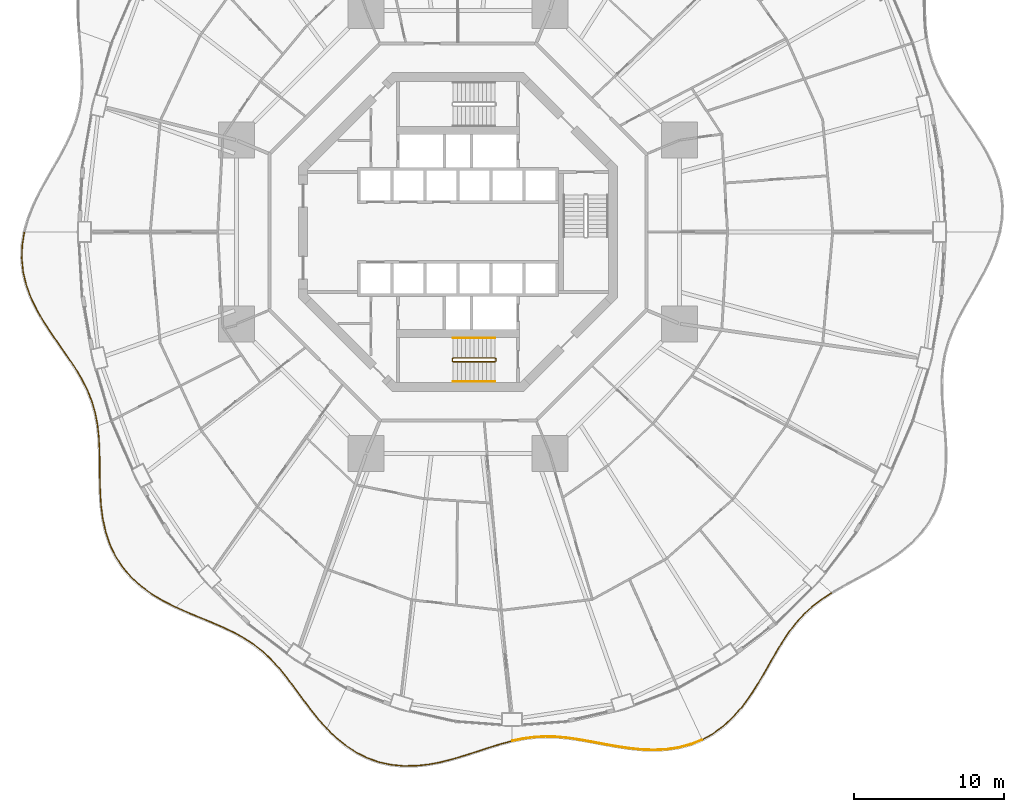
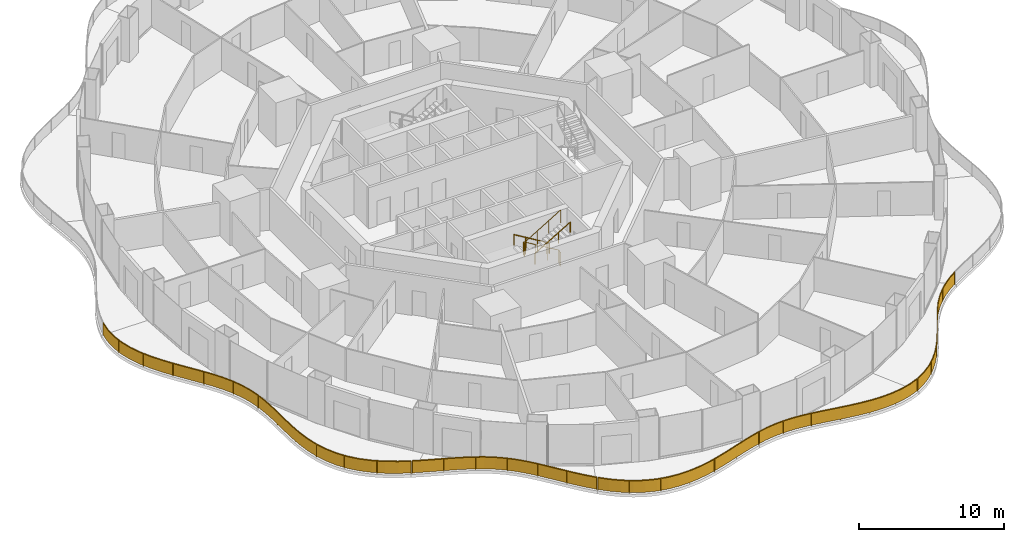
# One storey, part 20 of 22: 9 railings.
"""IFC4 building model written with IfcOpenShell, lengths in metres."""

from ifc_helpers import new_model, si_unit, direction, frame, origin, origin_2d, place, context, subcontext, project, spatial, polyline, rectangle, circle, outline, extrude, material, type_object, element, save


model = new_model("IFC4")

# Units and contexts
model_context = context("Model", 3, precision=1e-05, world=origin(), true_north=direction((0.0, 1.0)))
body_context = subcontext(model_context, "Body", "Model", "MODEL_VIEW")
ifc_project = project(units=[si_unit("LENGTHUNIT", "METRE"), si_unit("AREAUNIT", "SQUARE_METRE"), si_unit("VOLUMEUNIT", "CUBIC_METRE"), si_unit("PLANEANGLEUNIT", "RADIAN"), si_unit("MASSUNIT", "GRAM", prefix="KILO")], contexts=[model_context])

# Site, building, storey
site_placement = place(None, origin())
site = spatial("IfcSite", under=ifc_project, at=site_placement, CompositionType="ELEMENT")
building_placement = place(site_placement, origin())
building = spatial("IfcBuilding", under=site, at=building_placement, Name="Nagisa Residences", CompositionType="ELEMENT")
storey_placement = place(building_placement, frame((0.0, 0.0, 30.699951171875)))
storey = spatial("IfcBuildingStorey", under=building, at=storey_placement, Name="L06", CompositionType="ELEMENT", Elevation=30.699951171875)

# Railings
ifc_material_1 = material(Name="Stainless steel 316", Category="steel")
railing_type_1 = type_object("IfcRailingType", Name="BALCONY GUARD 1100", PredefinedType="BALUSTRADE", material=ifc_material_1)
railing_1_placement = place(storey_placement, frame((-28.92236328125, -0.0380859375, 0.0)))
element("IfcRailing", 1, at=railing_1_placement, inside=storey, type_object=railing_type_1, Name="guard:L06:bal08-0", PredefinedType="BALUSTRADE", context=body_context, shape_type="SweptSolid", body=[
    extrude(outline(polyline([(-0.1142578125, -0.843994140625), (0.024658203125, -0.004150390625), (-0.024658203125, 0.004150390625), (-0.1640625, -0.839111328125), (-0.194580078125, -1.73095703125), (-0.104736328125, -2.618408203125), (0.101318359375, -3.494140625), (0.4140625, -4.3525390625), (0.815185546875, -5.175537109375), (1.287353515625, -5.988525390625), (1.80419921875, -6.778076171875), (2.33984375, -7.54736328125), (2.86865234375, -8.30078125), (3.36279296875, -9.031494140625), (3.80859375, -9.775146484375), (4.187744140625, -10.5263671875), (4.49169921875, -11.2939453125), (4.71728515625, -12.085205078125), (4.86083984375, -12.865478515625), (4.91015625, -12.856201171875), (4.76611328125, -12.073974609375), (4.5390625, -11.27783203125), (4.233642578125, -10.505859375), (3.8525390625, -9.750732421875), (3.40478515625, -9.004638671875), (2.90966796875, -8.2724609375), (2.380859375, -7.5185546875), (1.845703125, -6.750244140625), (1.329833984375, -5.962158203125), (0.859619140625, -5.152099609375), (0.4599609375, -4.3330078125), (0.149169921875, -3.47998046875), (-0.055419921875, -2.610107421875), (-0.144287109375, -1.7294921875), (-0.1142578125, -0.843994140625)])), frame((0.0, 0.0, 1.050048828125)), (0.0, 0.0, 1.0), 0.050048828125),
    extrude(outline(polyline([(-0.132080078125, -0.84228515625), (0.0068359375, -0.001220703125), (-0.0068359375, 0.001220703125), (-0.146240234375, -0.8408203125), (-0.176513671875, -1.73046875), (-0.0869140625, -2.615478515625), (0.118408203125, -3.489013671875), (0.4306640625, -4.345458984375), (0.831298828125, -5.1669921875), (1.302734375, -5.97900390625), (1.819091796875, -6.76806640625), (2.354736328125, -7.536865234375), (2.88330078125, -8.29052734375), (3.3779296875, -9.021728515625), (3.824462890625, -9.766357421875), (4.204345703125, -10.51904296875), (4.5087890625, -11.2880859375), (4.73486328125, -12.081298828125), (4.878662109375, -12.862060546875), (4.892333984375, -12.859619140625), (4.74853515625, -12.077880859375), (4.52197265625, -11.28369140625), (4.217041015625, -10.51318359375), (3.836669921875, -9.759521484375), (3.3896484375, -9.014404296875), (2.89501953125, -8.28271484375), (2.365966796875, -7.529052734375), (1.830810546875, -6.76025390625), (1.314453125, -5.9716796875), (0.843505859375, -5.16064453125), (0.443359375, -4.340087890625), (0.132080078125, -3.485107421875), (-0.0732421875, -2.613037109375), (-0.162353515625, -1.72998046875), (-0.132080078125, -0.84228515625)])), frame((0.0, 0.0, 0.06005859375)), (0.0, 0.0, 1.0), 0.989990234375),
    extrude(rectangle(XDim=0.0400390625, YDim=0.0400390625, at=origin_2d()), origin(), (0.0, 0.0, 1.0), 1.050048828125),
    extrude(rectangle(XDim=0.0400390625, YDim=0.0400390625, at=origin_2d()), frame((-0.107666015625, -2.340576171875, 0.0)), (0.0, 0.0, 1.0), 1.050048828125),
    extrude(rectangle(XDim=0.0400390625, YDim=0.0400390625, at=origin_2d()), frame((0.556640625, -4.588134765625, 0.0)), (0.0, 0.0, 1.0), 1.050048828125),
    extrude(rectangle(XDim=0.0400390625, YDim=0.0400390625, at=origin_2d()), frame((1.73388671875, -6.625, 0.0)), (0.0, 0.0, 1.0), 1.050048828125),
    extrude(rectangle(XDim=0.0400390625, YDim=0.0400390625, at=origin_2d()), frame((3.074951171875, -8.5615234375, 0.0)), (0.0, 0.0, 1.0), 1.050048828125),
    extrude(rectangle(XDim=0.0400390625, YDim=0.0400390625, at=origin_2d()), frame((4.24462890625, -10.601806640625, 0.0)), (0.0, 0.0, 1.0), 1.050048828125),
    extrude(rectangle(XDim=0.0400390625, YDim=0.0400390625, at=origin_2d()), frame((4.885498046875, -12.86083984375, 0.0)), (0.0, 0.0, 1.0), 1.050048828125),
])
railing_2_placement = place(storey_placement, frame((-24.028564453125, -12.96923828125, 0.0)))
element("IfcRailing", 2, at=railing_2_placement, inside=storey, type_object=railing_type_1, Name="guard:L06:bal09-0", PredefinedType="BALUSTRADE", context=body_context, shape_type="SweptSolid", body=[
    extrude(outline(polyline([(0.10595703125, -0.783447265625), (0.02490234375, 0.002685546875), (-0.02490234375, -0.002685546875), (0.05615234375, -0.787353515625), (0.096923828125, -1.643310546875), (0.1103515625, -2.5263671875), (0.11767578125, -3.43017578125), (0.14111328125, -4.345703125), (0.195556640625, -5.249267578125), (0.314697265625, -6.154541015625), (0.5087890625, -7.034912109375), (0.79052734375, -7.877685546875), (1.16748046875, -8.67138671875), (1.634521484375, -9.393798828125), (2.203125, -10.06201171875), (2.858642578125, -10.662109375), (3.587158203125, -11.19482421875), (4.372802734375, -11.66455078125), (5.15673828125, -12.05810546875), (5.17919921875, -12.01318359375), (4.396728515625, -11.62060546875), (3.614990234375, -11.15283203125), (2.890380859375, -10.62353515625), (2.2392578125, -10.02734375), (1.674560546875, -9.364013671875), (1.21142578125, -8.64697265625), (0.8369140625, -7.859130859375), (0.55712890625, -7.021728515625), (0.364013671875, -6.145751953125), (0.245361328125, -5.244384765625), (0.19091796875, -4.34375), (0.16748046875, -3.42919921875), (0.16015625, -2.52587890625), (0.146728515625, -1.641845703125), (0.10595703125, -0.783447265625)])), frame((0.0, 0.0, 1.050048828125)), (0.0, 0.0, 1.0), 0.050048828125),
    extrude(outline(polyline([(0.088134765625, -0.784912109375), (0.007080078125, 0.000732421875), (-0.007080078125, -0.000732421875), (0.073974609375, -0.785888671875), (0.11474609375, -1.642822265625), (0.128173828125, -2.526123046875), (0.135498046875, -3.4296875), (0.158935546875, -4.344970703125), (0.21337890625, -5.24755859375), (0.33251953125, -6.1513671875), (0.526123046875, -7.0302734375), (0.80712890625, -7.87109375), (1.183349609375, -8.66259765625), (1.64892578125, -9.383056640625), (2.216064453125, -10.049560546875), (2.8701171875, -10.648193359375), (3.59716796875, -11.1796875), (4.38134765625, -11.648681640625), (5.164794921875, -12.0419921875), (5.171142578125, -12.029296875), (4.38818359375, -11.636474609375), (3.60498046875, -11.16796875), (2.87890625, -10.637451171875), (2.226318359375, -10.039794921875), (1.66015625, -9.374755859375), (1.195556640625, -8.65576171875), (0.8203125, -7.86572265625), (0.539794921875, -7.0263671875), (0.34619140625, -6.14892578125), (0.2275390625, -5.24609375), (0.173095703125, -4.344482421875), (0.149658203125, -3.4296875), (0.142333984375, -2.526123046875), (0.12890625, -1.642333984375), (0.088134765625, -0.784912109375)])), frame((0.0, 0.0, 0.06005859375)), (0.0, 0.0, 1.0), 0.989990234375),
    extrude(rectangle(XDim=0.0400390625, YDim=0.0400390625, at=origin_2d()), origin(), (0.0, 0.0, 1.0), 1.050048828125),
    extrude(rectangle(XDim=0.0400390625, YDim=0.0400390625, at=origin_2d()), frame((0.132568359375, -2.35009765625, 0.0)), (0.0, 0.0, 1.0), 1.050048828125),
    extrude(rectangle(XDim=0.0400390625, YDim=0.0400390625, at=origin_2d()), frame((0.187744140625, -4.704345703125, 0.0)), (0.0, 0.0, 1.0), 1.050048828125),
    extrude(rectangle(XDim=0.0400390625, YDim=0.0400390625, at=origin_2d()), frame((0.533447265625, -7.02978515625, 0.0)), (0.0, 0.0, 1.0), 1.050048828125),
    extrude(rectangle(XDim=0.0400390625, YDim=0.0400390625, at=origin_2d()), frame((1.5126953125, -9.159423828125, 0.0)), (0.0, 0.0, 1.0), 1.050048828125),
    extrude(rectangle(XDim=0.0400390625, YDim=0.0400390625, at=origin_2d()), frame((3.144287109375, -10.83984375, 0.0)), (0.0, 0.0, 1.0), 1.050048828125),
    extrude(rectangle(XDim=0.0400390625, YDim=0.0400390625, at=origin_2d()), frame((5.16796875, -12.03564453125, 0.0)), (0.0, 0.0, 1.0), 1.050048828125),
])
railing_3_placement = place(storey_placement, frame((-18.79052734375, -25.036865234375, 0.0)))
element("IfcRailing", 3, at=railing_3_placement, inside=storey, type_object=railing_type_1, Name="guard:L06:bal10-0", PredefinedType="BALUSTRADE", context=body_context, shape_type="SweptSolid", body=[
    extrude(outline(polyline([(0.771728515625, -0.314453125), (0.01025390625, 0.02294921875), (-0.01025390625, -0.02294921875), (0.752197265625, -0.3603515625), (1.556640625, -0.695068359375), (2.347412109375, -1.019775390625), (3.11181640625, -1.349365234375), (3.840087890625, -1.698486328125), (4.513916015625, -2.0693359375), (5.155517578125, -2.492919921875), (5.75439453125, -2.966552734375), (6.31591796875, -3.49365234375), (6.847900390625, -4.07373046875), (7.34716796875, -4.692626953125), (7.852783203125, -5.359130859375), (8.363525390625, -6.051513671875), (8.89111328125, -6.753173828125), (9.44677734375, -7.445556640625), (10.005615234375, -8.075927734375), (10.043212890625, -8.042724609375), (9.48486328125, -7.413330078125), (8.9306640625, -6.722412109375), (8.403564453125, -6.021728515625), (7.892822265625, -5.329345703125), (7.38671875, -4.661865234375), (6.885986328125, -4.041015625), (6.3515625, -3.45849609375), (5.787109375, -2.928466796875), (5.184814453125, -2.452392578125), (4.539794921875, -2.0263671875), (3.863037109375, -1.654052734375), (3.13232421875, -1.303955078125), (2.366943359375, -0.973876953125), (1.57568359375, -0.648681640625), (0.771728515625, -0.314453125)])), frame((0.0, 0.0, 1.050048828125)), (0.0, 0.0, 1.0), 0.050048828125),
    extrude(outline(polyline([(0.7646484375, -0.3310546875), (0.0029296875, 0.00634765625), (-0.0029296875, -0.00634765625), (0.75927734375, -0.34375), (1.5634765625, -0.67822265625), (2.3544921875, -1.003173828125), (3.119140625, -1.3330078125), (3.848388671875, -1.6826171875), (4.523193359375, -2.053955078125), (5.166015625, -2.478271484375), (5.76611328125, -2.952880859375), (6.328857421875, -3.48095703125), (6.861572265625, -4.06201171875), (7.361328125, -4.681640625), (7.8671875, -5.348388671875), (8.3779296875, -6.040771484375), (8.9052734375, -6.7421875), (9.46044921875, -7.433837890625), (10.019287109375, -8.06396484375), (10.029541015625, -8.0546875), (9.47119140625, -7.425048828125), (8.91650390625, -6.7333984375), (8.38916015625, -6.032470703125), (7.87841796875, -5.340087890625), (7.37255859375, -4.6728515625), (6.872314453125, -4.052734375), (6.338623046875, -3.47119140625), (5.775390625, -2.942138671875), (5.17431640625, -2.467041015625), (4.530517578125, -2.041748046875), (3.854736328125, -1.669921875), (3.125, -1.3203125), (2.35986328125, -0.990478515625), (1.56884765625, -0.66552734375), (0.7646484375, -0.3310546875)])), frame((0.0, 0.0, 0.06005859375)), (0.0, 0.0, 1.0), 0.989990234375),
    extrude(rectangle(XDim=0.0400390625, YDim=0.0400390625, at=origin_2d()), origin(), (0.0, 0.0, 1.0), 1.050048828125),
    extrude(rectangle(XDim=0.0400390625, YDim=0.0400390625, at=origin_2d()), frame((2.02001953125, -0.8583984375, 0.0)), (0.0, 0.0, 1.0), 1.050048828125),
    extrude(rectangle(XDim=0.0400390625, YDim=0.0400390625, at=origin_2d()), frame((4.0166015625, -1.76708984375, 0.0)), (0.0, 0.0, 1.0), 1.050048828125),
    extrude(rectangle(XDim=0.0400390625, YDim=0.0400390625, at=origin_2d()), frame((5.826171875, -2.99951171875, 0.0)), (0.0, 0.0, 1.0), 1.050048828125),
    extrude(rectangle(XDim=0.0400390625, YDim=0.0400390625, at=origin_2d()), frame((7.312744140625, -4.610107421875, 0.0)), (0.0, 0.0, 1.0), 1.050048828125),
    extrude(rectangle(XDim=0.0400390625, YDim=0.0400390625, at=origin_2d()), frame((8.630615234375, -6.365234375, 0.0)), (0.0, 0.0, 1.0), 1.050048828125),
    extrude(rectangle(XDim=0.0400390625, YDim=0.0400390625, at=origin_2d()), frame((10.0244140625, -8.059326171875, 0.0)), (0.0, 0.0, 1.0), 1.050048828125),
])
railing_4_placement = place(storey_placement, frame((-8.713623046875, -33.152587890625, 0.0)))
element("IfcRailing", 4, at=railing_4_placement, inside=storey, type_object=railing_type_1, Name="guard:L06:bal11-0", PredefinedType="BALUSTRADE", context=body_context, shape_type="SweptSolid", body=[
    extrude(outline(polyline([(0.591552734375, -0.544189453125), (0.017578125, 0.017822265625), (-0.017578125, -0.017822265625), (0.558349609375, -0.581298828125), (1.212890625, -1.115478515625), (1.911376953125, -1.573974609375), (2.65087890625, -1.94580078125), (3.42724609375, -2.223876953125), (4.21728515625, -2.3984375), (5.046142578125, -2.48193359375), (5.88916015625, -2.4736328125), (6.7373046875, -2.38427734375), (7.582763671875, -2.22607421875), (8.4013671875, -2.01318359375), (9.22216796875, -1.7685546875), (10.02587890625, -1.5087890625), (10.81005859375, -1.25244140625), (11.57666015625, -1.0166015625), (12.285888671875, -0.826171875), (12.272705078125, -0.77783203125), (11.56298828125, -0.96826171875), (10.794921875, -1.20458984375), (10.01025390625, -1.46142578125), (9.20751953125, -1.720703125), (8.3876953125, -1.96484375), (7.572021484375, -2.17724609375), (6.72998046875, -2.33447265625), (5.88623046875, -2.423828125), (5.048583984375, -2.431640625), (4.22509765625, -2.34912109375), (3.44091796875, -2.175537109375), (2.67041015625, -1.89990234375), (1.936279296875, -1.530517578125), (1.24267578125, -1.074951171875), (0.591552734375, -0.544189453125)])), frame((0.0, 0.0, 1.050048828125)), (0.0, 0.0, 1.0), 0.050048828125),
    extrude(outline(polyline([(0.57958984375, -0.5576171875), (0.0048828125, 0.0048828125), (-0.0048828125, -0.0048828125), (0.5703125, -0.56787109375), (1.2236328125, -1.100830078125), (1.92041015625, -1.558349609375), (2.657958984375, -1.92919921875), (3.43212890625, -2.20654296875), (4.219970703125, -2.380615234375), (5.047119140625, -2.4638671875), (5.88818359375, -2.455810546875), (6.734619140625, -2.3662109375), (7.578857421875, -2.20849609375), (8.396484375, -1.995849609375), (9.217041015625, -1.751220703125), (10.020263671875, -1.49169921875), (10.8046875, -1.235107421875), (11.57177734375, -0.999267578125), (12.281005859375, -0.808837890625), (12.277587890625, -0.795166015625), (11.56787109375, -0.985595703125), (10.80029296875, -1.221923828125), (10.015869140625, -1.478515625), (9.212646484375, -1.738037109375), (8.392578125, -1.982177734375), (7.575927734375, -2.19482421875), (6.732666015625, -2.3525390625), (5.88720703125, -2.441650390625), (5.047607421875, -2.44970703125), (4.222412109375, -2.366943359375), (3.43603515625, -2.19287109375), (2.663330078125, -1.91650390625), (1.92724609375, -1.546142578125), (1.23193359375, -1.089599609375), (0.57958984375, -0.5576171875)])), frame((0.0, 0.0, 0.06005859375)), (0.0, 0.0, 1.0), 0.989990234375),
    extrude(rectangle(XDim=0.0400390625, YDim=0.0400390625, at=origin_2d()), origin(), (0.0, 0.0, 1.0), 1.050048828125),
    extrude(rectangle(XDim=0.0400390625, YDim=0.0400390625, at=origin_2d()), frame((1.692626953125, -1.400390625, 0.0)), (0.0, 0.0, 1.0), 1.050048828125),
    extrude(rectangle(XDim=0.0400390625, YDim=0.0400390625, at=origin_2d()), frame((3.707763671875, -2.26025390625, 0.0)), (0.0, 0.0, 1.0), 1.050048828125),
    extrude(rectangle(XDim=0.0400390625, YDim=0.0400390625, at=origin_2d()), frame((5.894287109375, -2.447998046875, 0.0)), (0.0, 0.0, 1.0), 1.050048828125),
    extrude(rectangle(XDim=0.0400390625, YDim=0.0400390625, at=origin_2d()), frame((8.06201171875, -2.075439453125, 0.0)), (0.0, 0.0, 1.0), 1.050048828125),
    extrude(rectangle(XDim=0.0400390625, YDim=0.0400390625, at=origin_2d()), frame((10.169677734375, -1.435546875, 0.0)), (0.0, 0.0, 1.0), 1.050048828125),
    extrude(rectangle(XDim=0.0400390625, YDim=0.0400390625, at=origin_2d()), frame((12.279296875, -0.802001953125, 0.0)), (0.0, 0.0, 1.0), 1.050048828125),
])
railing_5_placement = place(storey_placement, frame((3.634765625, -33.936279296875, 0.0)))
element("IfcRailing", 5, at=railing_5_placement, inside=storey, type_object=railing_type_1, Name="guard:L06:bal12-0", PredefinedType="BALUSTRADE", context=body_context, shape_type="SweptSolid", body=[
    extrude(outline(polyline([(0.695068359375, 0.16943359375), (-0.005126953125, 0.0244140625), (0.005126953125, -0.0244140625), (0.703369140625, 0.1201171875), (1.43994140625, 0.218017578125), (2.177978515625, 0.25732421875), (2.924072265625, 0.239501953125), (3.68359375, 0.16943359375), (4.44287109375, 0.054931640625), (5.239990234375, -0.08642578125), (6.056640625, -0.24072265625), (6.8916015625, -0.390625), (7.740234375, -0.517578125), (8.579833984375, -0.608642578125), (9.43603515625, -0.637451171875), (10.282470703125, -0.594482421875), (11.1103515625, -0.46875), (11.909912109375, -0.253173828125), (12.626708984375, 0.03662109375), (12.608154296875, 0.0830078125), (11.893798828125, -0.205810546875), (11.10009765625, -0.419921875), (10.277587890625, -0.544677734375), (9.435546875, -0.587158203125), (8.583251953125, -0.558837890625), (7.74658203125, -0.4677734375), (6.89990234375, -0.34130859375), (6.06591796875, -0.19140625), (5.248779296875, -0.037109375), (4.451171875, 0.104248046875), (3.689453125, 0.21923828125), (2.927001953125, 0.289306640625), (2.177490234375, 0.3076171875), (1.43505859375, 0.267822265625), (0.695068359375, 0.16943359375)])), frame((0.0, 0.0, 1.050048828125)), (0.0, 0.0, 1.0), 0.050048828125),
    extrude(outline(polyline([(0.697998046875, 0.151611328125), (-0.00146484375, 0.0068359375), (0.00146484375, -0.0068359375), (0.700439453125, 0.137939453125), (1.438232421875, 0.23583984375), (2.177734375, 0.275390625), (2.925048828125, 0.25732421875), (3.685791015625, 0.1875), (4.44580078125, 0.07275390625), (5.2431640625, -0.068603515625), (6.06005859375, -0.222900390625), (6.89453125, -0.372802734375), (7.742431640625, -0.49951171875), (8.5810546875, -0.5908203125), (9.435791015625, -0.619384765625), (10.28076171875, -0.57666015625), (11.106689453125, -0.451171875), (11.904052734375, -0.236083984375), (12.6201171875, 0.05322265625), (12.61474609375, 0.06640625), (11.899658203125, -0.222900390625), (11.103759765625, -0.4375), (10.279296875, -0.5625), (9.435791015625, -0.605224609375), (8.58203125, -0.57666015625), (7.744384765625, -0.48583984375), (6.89697265625, -0.359130859375), (6.0625, -0.209228515625), (5.24560546875, -0.054931640625), (4.4482421875, 0.08642578125), (3.687255859375, 0.201171875), (2.926025390625, 0.271484375), (2.177734375, 0.28955078125), (1.436767578125, 0.25), (0.697998046875, 0.151611328125)])), frame((0.0, 0.0, 0.06005859375)), (0.0, 0.0, 1.0), 0.989990234375),
    extrude(rectangle(XDim=0.0400390625, YDim=0.0400390625, at=origin_2d()), origin(), (0.0, 0.0, 1.0), 1.050048828125),
    extrude(rectangle(XDim=0.0400390625, YDim=0.0400390625, at=origin_2d()), frame((2.111328125, 0.27880859375, 0.0)), (0.0, 0.0, 1.0), 1.050048828125),
    extrude(rectangle(XDim=0.0400390625, YDim=0.0400390625, at=origin_2d()), frame((4.2353515625, 0.111572265625, 0.0)), (0.0, 0.0, 1.0), 1.050048828125),
    extrude(rectangle(XDim=0.0400390625, YDim=0.0400390625, at=origin_2d()), frame((6.33544921875, -0.265380859375, 0.0)), (0.0, 0.0, 1.0), 1.050048828125),
    extrude(rectangle(XDim=0.0400390625, YDim=0.0400390625, at=origin_2d()), frame((8.446533203125, -0.569091796875, 0.0)), (0.0, 0.0, 1.0), 1.050048828125),
    extrude(rectangle(XDim=0.0400390625, YDim=0.0400390625, at=origin_2d()), frame((10.574462890625, -0.52490234375, 0.0)), (0.0, 0.0, 1.0), 1.050048828125),
    extrude(rectangle(XDim=0.0400390625, YDim=0.0400390625, at=origin_2d()), frame((12.617431640625, 0.059814453125, 0.0)), (0.0, 0.0, 1.0), 1.050048828125),
])
railing_6_placement = place(storey_placement, frame((16.32177734375, -33.8427734375, 0.0)))
element("IfcRailing", 6, at=railing_6_placement, inside=storey, type_object=railing_type_1, Name="guard:L06:bal13-0", PredefinedType="BALUSTRADE", context=body_context, shape_type="SweptSolid", body=[
    extrude(outline(polyline([(0.686279296875, 0.4130859375), (-0.01220703125, 0.021728515625), (0.01220703125, -0.021728515625), (0.713623046875, 0.37109375), (1.404541015625, 0.880126953125), (2.03955078125, 1.470703125), (2.61962890625, 2.12939453125), (3.1484375, 2.83935546875), (3.619873046875, 3.572998046875), (4.071533203125, 4.330322265625), (4.50146484375, 5.08447265625), (4.92333984375, 5.81982421875), (5.35107421875, 6.522705078125), (5.785888671875, 7.1728515625), (6.263427734375, 7.785400390625), (6.781494140625, 8.34765625), (7.34619140625, 8.862060546875), (7.9599609375, 9.33447265625), (8.58642578125, 9.748291015625), (8.55859375, 9.790283203125), (7.9306640625, 9.375), (7.31396484375, 8.900634765625), (6.746337890625, 8.38330078125), (6.225341796875, 7.817626953125), (5.745361328125, 7.2021484375), (5.30908203125, 6.549560546875), (4.88037109375, 5.84521484375), (4.4580078125, 5.109375), (4.028076171875, 4.355712890625), (3.577392578125, 3.599365234375), (3.107421875, 2.86767578125), (2.58056640625, 2.1611328125), (2.00341796875, 1.505859375), (1.372314453125, 0.918701171875), (0.686279296875, 0.4130859375)])), frame((0.0, 0.0, 1.050048828125)), (0.0, 0.0, 1.0), 0.050048828125),
    extrude(outline(polyline([(0.696044921875, 0.39794921875), (-0.00341796875, 0.006103515625), (0.00341796875, -0.006103515625), (0.703857421875, 0.38623046875), (1.392822265625, 0.89404296875), (2.026611328125, 1.4833984375), (2.60546875, 2.140869140625), (3.1337890625, 2.849609375), (3.6044921875, 3.58251953125), (4.055908203125, 4.339599609375), (4.48583984375, 5.093505859375), (4.907958984375, 5.828857421875), (5.3359375, 6.532470703125), (5.771240234375, 7.183349609375), (6.249755859375, 7.796875), (6.768798828125, 8.360595703125), (7.33447265625, 8.8759765625), (7.949462890625, 9.34912109375), (8.576416015625, 9.763427734375), (8.568603515625, 9.775146484375), (7.941162109375, 9.3603515625), (7.32568359375, 8.88671875), (6.759033203125, 8.370361328125), (6.239013671875, 7.80615234375), (5.760009765625, 7.191650390625), (5.32421875, 6.539794921875), (4.895751953125, 5.836181640625), (4.4736328125, 5.100341796875), (4.043701171875, 4.346435546875), (3.5927734375, 3.58984375), (3.1220703125, 2.857421875), (2.5947265625, 2.149658203125), (2.016357421875, 1.4931640625), (1.384033203125, 0.90478515625), (0.696044921875, 0.39794921875)])), frame((0.0, 0.0, 0.06005859375)), (0.0, 0.0, 1.0), 0.989990234375),
    extrude(rectangle(XDim=0.0400390625, YDim=0.0400390625, at=origin_2d()), origin(), (0.0, 0.0, 1.0), 1.050048828125),
    extrude(rectangle(XDim=0.0400390625, YDim=0.0400390625, at=origin_2d()), frame((1.78515625, 1.268310546875, 0.0)), (0.0, 0.0, 1.0), 1.050048828125),
    extrude(rectangle(XDim=0.0400390625, YDim=0.0400390625, at=origin_2d()), frame((3.19140625, 2.952392578125, 0.0)), (0.0, 0.0, 1.0), 1.050048828125),
    extrude(rectangle(XDim=0.0400390625, YDim=0.0400390625, at=origin_2d()), frame((4.32958984375, 4.833740234375, 0.0)), (0.0, 0.0, 1.0), 1.050048828125),
    extrude(rectangle(XDim=0.0400390625, YDim=0.0400390625, at=origin_2d()), frame((5.454833984375, 6.72265625, 0.0)), (0.0, 0.0, 1.0), 1.050048828125),
    extrude(rectangle(XDim=0.0400390625, YDim=0.0400390625, at=origin_2d()), frame((6.833984375, 8.42919921875, 0.0)), (0.0, 0.0, 1.0), 1.050048828125),
    extrude(rectangle(XDim=0.0400390625, YDim=0.0400390625, at=origin_2d()), frame((8.572509765625, 9.769287109375, 0.0)), (0.0, 0.0, 1.0), 1.050048828125),
])
ifc_material_2 = material(Name="Stainless steel", Category="steel")
railing_type_2 = type_object("IfcRailingType", Name="Stair guard 1100", PredefinedType="GUARDRAIL", material=ifc_material_2)
railing_7_placement = place(storey_placement, frame((2.52490234375, -8.599609375, 0.0)))
element("IfcRailing", 7, at=railing_7_placement, inside=storey, type_object=railing_type_2, Name="L06 ST-S stair guard 1", PredefinedType="GUARDRAIL", context=body_context, shape_type="SweptSolid", body=[
    extrude(circle(Radius=0.02392578125, at=origin_2d()), frame((0.0, 0.0, 1.076171875), z_axis=(0.0, 1.0, 0.0), x_axis=(-1.0, 0.0, 0.0)), (0.0, 0.0, 1.0), 0.14990234375),
    extrude(circle(Radius=0.02392578125, at=origin_2d()), frame((0.0, 0.14990234375, 1.076171875), z_axis=(-0.273006030465, 0.27434429532, 0.922064485248), x_axis=(-0.708833529934, -0.705375805398, 0.0)), (0.0, 0.0, 1.0), 0.182373046875),
    extrude(circle(Radius=0.02392578125, at=origin_2d()), frame((-0.0498046875, 0.199951171875, 1.244140625), z_axis=(-0.857242210791, 0.0, 0.514913383045), x_axis=(0.0, -1.0, 0.0)), (0.0, 0.0, 1.0), 3.266357421875),
    extrude(circle(Radius=0.02392578125, at=origin_2d()), frame((-2.849853515625, 0.199951171875, 2.92626953125), z_axis=(-0.707106781187, -0.707106781187, 0.0), x_axis=(0.707106781187, -0.707106781187, 0.0)), (0.0, 0.0, 1.0), 0.07080078125),
    extrude(circle(Radius=0.02392578125, at=origin_2d()), frame((-2.89990234375, 0.14990234375, 2.92626953125), z_axis=(0.0, -1.0, 0.0), x_axis=(1.0, 0.0, 0.0)), (0.0, 0.0, 1.0), 0.14990234375),
    extrude(circle(Radius=0.02392578125, at=origin_2d()), frame((-2.89990234375, 0.0, 2.92626953125), z_axis=(0.274243871929, -0.274243871929, 0.92172696468), x_axis=(0.707106781187, 0.707106781187, 0.0)), (0.0, 0.0, 1.0), 0.1826171875),
    extrude(circle(Radius=0.02392578125, at=origin_2d()), frame((-2.849853515625, -0.050048828125, 3.09423828125), z_axis=(0.857275202839, 0.0, 0.514858452973), x_axis=(0.0, 1.0, 0.0)), (0.0, 0.0, 1.0), 3.26611328125),
    extrude(circle(Radius=0.02099609375, at=origin_2d()), origin(), (0.0, 0.0, 1.0), 1.052001953125),
    extrude(circle(Radius=0.02099609375, at=origin_2d()), frame((0.0, 0.14990234375, 0.0)), (0.0, 0.0, 1.0), 1.052001953125),
    extrude(circle(Radius=0.02099609375, at=origin_2d()), frame((-0.0498046875, 0.199951171875, 0.168212890625)), (0.0, 0.0, 1.0), 1.052001953125),
    extrude(circle(Radius=0.02099609375, at=origin_2d()), frame((-0.983154296875, 0.199951171875, 0.728759765625)), (0.0, 0.0, 1.0), 1.052001953125),
    extrude(circle(Radius=0.02099609375, at=origin_2d()), frame((-1.91650390625, 0.199951171875, 1.28955078125)), (0.0, 0.0, 1.0), 1.052001953125),
    extrude(circle(Radius=0.02099609375, at=origin_2d()), frame((-2.849853515625, 0.199951171875, 1.85009765625)), (0.0, 0.0, 1.0), 1.052001953125),
    extrude(circle(Radius=0.02099609375, at=origin_2d()), frame((-2.89990234375, 0.14990234375, 1.85009765625)), (0.0, 0.0, 1.0), 1.052001953125),
    extrude(circle(Radius=0.02099609375, at=origin_2d()), frame((-2.89990234375, 0.0, 1.85009765625)), (0.0, 0.0, 1.0), 1.052001953125),
    extrude(circle(Radius=0.02099609375, at=origin_2d()), frame((-2.849853515625, -0.050048828125, 2.018310546875)), (0.0, 0.0, 1.0), 1.052001953125),
    extrude(circle(Radius=0.02099609375, at=origin_2d()), frame((-1.91650390625, -0.050048828125, 2.578857421875)), (0.0, 0.0, 1.0), 1.052001953125),
    extrude(circle(Radius=0.02099609375, at=origin_2d()), frame((-0.983154296875, -0.050048828125, 3.139404296875)), (0.0, 0.0, 1.0), 1.052001953125),
    extrude(circle(Radius=0.02099609375, at=origin_2d()), frame((-0.0498046875, -0.050048828125, 3.699951171875)), (0.0, 0.0, 1.0), 1.052001953125),
])
ifc_material_3 = material(Name="Stainless steel", Category="steel")
railing_type_3 = type_object("IfcRailingType", Name="Stair handrail 900", PredefinedType="HANDRAIL", material=ifc_material_3)
railing_8_placement = place(storey_placement, frame((2.47509765625, -7.07470703125, 0.168212890625)))
element("IfcRailing", 8, at=railing_8_placement, inside=storey, type_object=railing_type_3, Name="L06 ST-S stair handrail 1", PredefinedType="HANDRAIL", context=body_context, shape_type="SweptSolid", body=[
    extrude(circle(Radius=0.02392578125, at=origin_2d()), frame((0.0, 0.0, 0.8759765625), z_axis=(-0.857242210791, 0.0, 0.514913383045), x_axis=(0.0, -1.0, 0.0)), (0.0, 0.0, 1.0), 3.266357421875),
    extrude(circle(Radius=0.02099609375, at=origin_2d()), origin(), (0.0, 0.0, 1.0), 0.851806640625),
    extrude(circle(Radius=0.02099609375, at=origin_2d()), frame((-0.933349609375, 0.0, 0.560546875)), (0.0, 0.0, 1.0), 0.851806640625),
    extrude(circle(Radius=0.02099609375, at=origin_2d()), frame((-1.86669921875, 0.0, 1.121337890625)), (0.0, 0.0, 1.0), 0.851806640625),
    extrude(circle(Radius=0.02099609375, at=origin_2d()), frame((-2.800048828125, 0.0, 1.681884765625)), (0.0, 0.0, 1.0), 0.851806640625),
])
railing_9_placement = place(storey_placement, frame((-0.324951171875, -9.974609375, 2.018310546875)))
element("IfcRailing", 9, at=railing_9_placement, inside=storey, type_object=railing_type_3, Name="L06 ST-S stair handrail 2", PredefinedType="HANDRAIL", context=body_context, shape_type="SweptSolid", body=[
    extrude(circle(Radius=0.02392578125, at=origin_2d()), frame((0.0, 0.0, 0.8759765625), z_axis=(0.857275202839, 0.0, 0.514858452973), x_axis=(0.0, 1.0, 0.0)), (0.0, 0.0, 1.0), 3.26611328125),
    extrude(circle(Radius=0.02099609375, at=origin_2d()), origin(), (0.0, 0.0, 1.0), 0.851806640625),
    extrude(circle(Radius=0.02099609375, at=origin_2d()), frame((0.933349609375, 0.0, 0.560546875)), (0.0, 0.0, 1.0), 0.851806640625),
    extrude(circle(Radius=0.02099609375, at=origin_2d()), frame((1.86669921875, 0.0, 1.12109375)), (0.0, 0.0, 1.0), 0.851806640625),
    extrude(circle(Radius=0.02099609375, at=origin_2d()), frame((2.800048828125, 0.0, 1.681640625)), (0.0, 0.0, 1.0), 0.851806640625),
])

save(model, "model.ifc")
